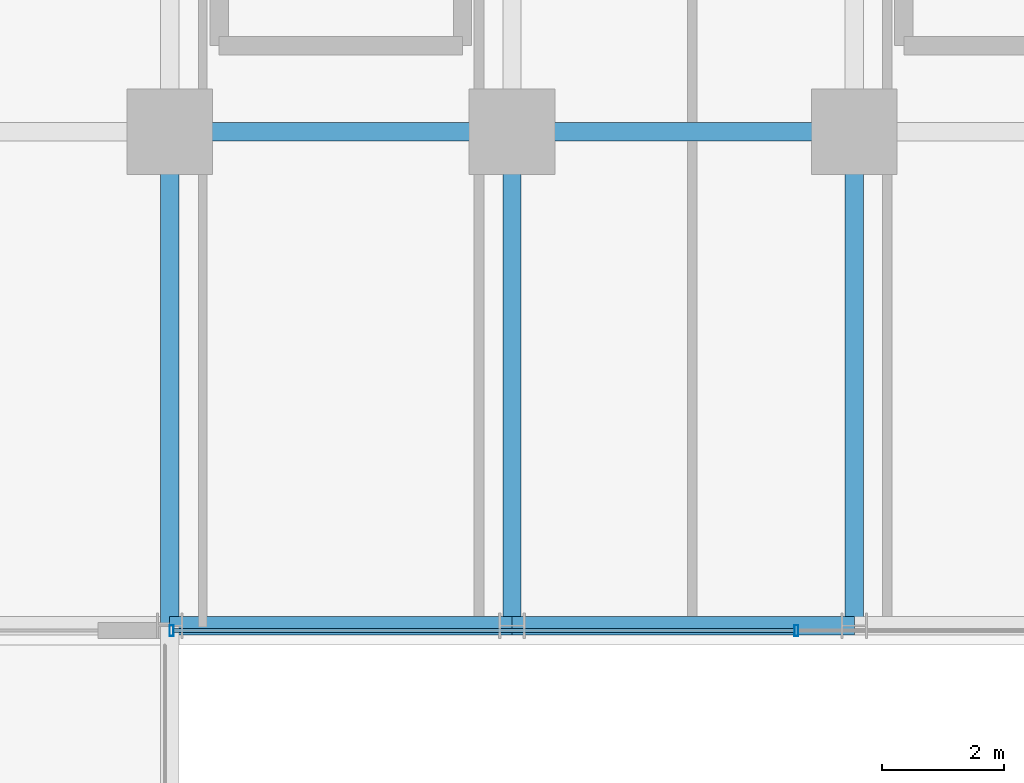
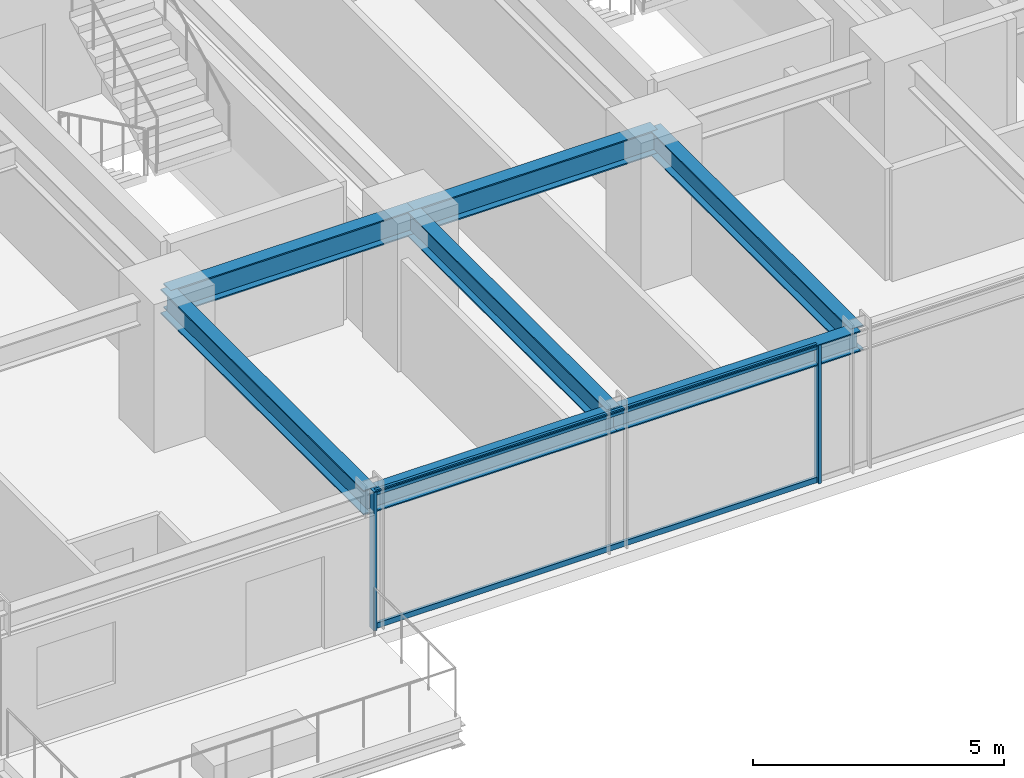
# One storey, part 7 of 37: 7 beams, 4 members, 1 element without a shape of its own.
"""IFC4 building model written with IfcOpenShell, lengths in metres."""

from ifc_helpers import new_model, si_unit, direction, frame, origin, origin_2d, place, context, subcontext, project, spatial, hollow_rectangle, i_section, extrude, source, transform, mapped, material, material_profile, profile_set, type_object, element, aggregate, save


model = new_model("IFC4")

# Units and contexts
model_context = context("Model", 3, precision=1e-05, world=origin(), true_north=direction((0.0, 1.0)))
body_context = subcontext(model_context, "Body", "Model", "MODEL_VIEW")
ifc_project = project(units=[si_unit("LENGTHUNIT", "METRE"), si_unit("AREAUNIT", "SQUARE_METRE"), si_unit("VOLUMEUNIT", "CUBIC_METRE"), si_unit("PLANEANGLEUNIT", "RADIAN"), si_unit("MASSUNIT", "GRAM", prefix="KILO")], contexts=[model_context])

# Site, building, storey
site_placement = place(None, origin())
site = spatial("IfcSite", under=ifc_project, at=site_placement, CompositionType="ELEMENT")
building_placement = place(site_placement, origin())
building = spatial("IfcBuilding", under=site, at=building_placement, Name="Nahalor Promenade Grand Hotel", CompositionType="ELEMENT")
storey_placement = place(building_placement, frame((0.0, 0.0, 36.050048828125)))
storey = spatial("IfcBuildingStorey", under=building, at=storey_placement, Name="L07", CompositionType="ELEMENT", Elevation=36.050048828125)

# Beams
ifc_material_1 = material(Name="Steel S355JR", Category="steel")
ifc_material_profile_1 = material_profile(ifc_material_1, i_section(OverallWidth=0.3, OverallDepth=0.6, WebThickness=0.0155, FlangeThickness=0.03, at=origin_2d()), Name="HEB 600")
ifc_profile_set_1 = profile_set([ifc_material_profile_1], Name="Steel S355JR")
beam_type_1 = type_object("IfcBeamType", Name="Beam-Girder-HEB600", PredefinedType="BEAM", material=ifc_profile_set_1)
shared_shape_1 = source(origin(), body_context, "Body", "SweptSolid", [
    extrude(i_section(OverallWidth=0.3, OverallDepth=0.6, WebThickness=0.0155, FlangeThickness=0.03, at=origin_2d()), origin(), (0.0, 0.0, 1.0), 5.599853515625),
])
beam_1_placement = place(storey_placement, frame((-8.39990234375, -17.0, 3.070068359375), z_axis=(1.0, 0.0, 0.0), x_axis=(0.0, 1.0, 0.0)))
element("IfcBeam", 1, at=beam_1_placement, inside=storey, type_object=beam_type_1, Name="BM-L07-GX-0-2", PredefinedType="BEAM", context=body_context, shape_type="MappedRepresentation", body=[
    mapped(shared_shape_1, transform((0.0, 0.0, 0.0), scale=1.0)),
])
shared_shape_2 = source(origin(), body_context, "Body", "SweptSolid", [
    extrude(i_section(OverallWidth=0.3, OverallDepth=0.6, WebThickness=0.0155, FlangeThickness=0.03, at=origin_2d()), origin(), (0.0, 0.0, 1.0), 5.60009765625),
])
beam_2_placement = place(storey_placement, frame((-2.800048828125, -17.0, 3.070068359375), z_axis=(1.0, 0.0, 0.0), x_axis=(0.0, 1.0, 0.0)))
element("IfcBeam", 2, at=beam_2_placement, inside=storey, type_object=beam_type_1, Name="BM-L07-GX-0-3", PredefinedType="BEAM", context=body_context, shape_type="MappedRepresentation", body=[
    mapped(shared_shape_2, transform((0.0, 0.0, 0.0), scale=1.0)),
])
ifc_material_profile_2 = material_profile(ifc_material_1, i_section(OverallWidth=0.3, OverallDepth=0.5, WebThickness=0.0145, FlangeThickness=0.028, at=origin_2d()), Name="HEB 500")
ifc_profile_set_2 = profile_set([ifc_material_profile_2], Name="Steel S355JR")
beam_type_2 = type_object("IfcBeamType", Name="Beam-Spandrel-HEB500", PredefinedType="SPANDREL", material=ifc_profile_set_2)
shared_shape_3 = source(origin(), body_context, "Body", "SweptSolid", [
    extrude(i_section(OverallWidth=0.3, OverallDepth=0.5, WebThickness=0.0145, FlangeThickness=0.028, at=origin_2d()), origin(), (0.0, 0.0, 1.0), 5.599853515625),
])
beam_3_placement = place(storey_placement, frame((-8.39990234375, -25.080078125, 3.119873046875), z_axis=(1.0, 0.0, 0.0), x_axis=(0.0, 1.0, 0.0)))
element("IfcBeam", 3, at=beam_3_placement, inside=storey, type_object=beam_type_2, Name="BM-L07-SP-S-1", PredefinedType="SPANDREL", context=body_context, shape_type="MappedRepresentation", body=[
    mapped(shared_shape_3, transform((0.0, 0.0, 0.0), scale=1.0)),
])
shared_shape_4 = source(origin(), body_context, "Body", "SweptSolid", [
    extrude(i_section(OverallWidth=0.3, OverallDepth=0.5, WebThickness=0.0145, FlangeThickness=0.028, at=origin_2d()), origin(), (0.0, 0.0, 1.0), 5.60009765625),
])
beam_4_placement = place(storey_placement, frame((-2.800048828125, -25.080078125, 3.119873046875), z_axis=(1.0, 0.0, 0.0), x_axis=(0.0, 1.0, 0.0)))
element("IfcBeam", 4, at=beam_4_placement, inside=storey, type_object=beam_type_2, Name="BM-L07-SP-S-2", PredefinedType="SPANDREL", context=body_context, shape_type="MappedRepresentation", body=[
    mapped(shared_shape_4, transform((0.0, 0.0, 0.0), scale=1.0)),
])
shared_shape_5 = source(origin(), body_context, "Body", "SweptSolid", [
    extrude(i_section(OverallWidth=0.3, OverallDepth=0.6, WebThickness=0.0155, FlangeThickness=0.03, at=origin_2d()), origin(), (0.0, 0.0, 1.0), 8.080078125),
])
for number, where, z_axis, x_axis, name in (
    (5, (-8.39990234375, -25.080078125, 3.070068359375), (0.0, 1.0, 0.0), (-1.0, 0.0, 0.0), "BM-L07-GY-1-0"),
    (6, (-2.800048828125, -25.080078125, 3.070068359375), (0.0, 1.0, 0.0), (-1.0, 0.0, 0.0), "BM-L07-GY-2-0"),
    (7, (2.800048828125, -25.080078125, 3.070068359375), (0.0, 1.0, 0.0), (-1.0, 0.0, 0.0), "BM-L07-GY-3-0"),
):
    element("IfcBeam", number, at=place(storey_placement, frame(where, z_axis=z_axis, x_axis=x_axis)), inside=storey, type_object=beam_type_1, Name=name, PredefinedType="BEAM", context=body_context, shape_type="MappedRepresentation", body=[
        mapped(shared_shape_5, transform((0.0, 0.0, 0.0), scale=1.0)),
    ])

# Curtain wall, members
ifc_material_2 = material(Name="Anodised Bronze Aluminium EN AW-6063 T6", Category="aluminium")
curtain_wall_type = type_object("IfcCurtainWallType", Name="CW2 Typical Hotel Flush Bronze Unitised Curtain Wall", PredefinedType="USERDEFINED", material=ifc_material_2)
curtain_wall_placement = place(storey_placement, origin())
curtain_wall = element("IfcCurtainWall", 8, at=curtain_wall_placement, inside=storey, type_object=curtain_wall_type, Name="L07 Curtain Wall CW-L07-S-3", ObjectType="UNITISED_CURTAIN_WALL", PredefinedType="USERDEFINED")
ifc_material_profile_3 = material_profile(ifc_material_2, hollow_rectangle(XDim=0.065, YDim=0.13, WallThickness=0.004, at=origin_2d()), Name="CWT 65x130x4")
ifc_profile_set_3 = profile_set([ifc_material_profile_3], Name="Anodised Bronze Aluminium EN AW-6063 T6")
member_type_1 = type_object("IfcMemberType", Name="CWT2 Typical Bronze Transom 65x130", PredefinedType="USERDEFINED", material=ifc_profile_set_3)
shared_shape_6 = source(origin(), body_context, "Body", "SweptSolid", [
    extrude(hollow_rectangle(XDim=0.065, YDim=0.13, WallThickness=0.004, at=origin_2d()), origin(), (0.0, 0.0, 1.0), 10.15576171875),
])
member_1_placement = place(storey_placement, frame((-8.3349609375, -25.159912109375, 0.06494140625), z_axis=(1.0, 0.0, 0.0), x_axis=(0.0, 1.0, 0.0)))
member_1 = element("IfcMember", 9, at=member_1_placement, type_object=member_type_1, Name="CW-L07-S-3 Transom 0-0", ObjectType="TRANSOM", PredefinedType="USERDEFINED", context=body_context, shape_type="MappedRepresentation", body=[
    mapped(shared_shape_6, transform((0.0, 0.0, 0.0), scale=1.0)),
])
member_2_placement = place(storey_placement, frame((-8.3349609375, -25.159912109375, 3.304931640625), z_axis=(1.0, 0.0, 0.0), x_axis=(0.0, 1.0, 0.0)))
member_2 = element("IfcMember", 10, at=member_2_placement, type_object=member_type_1, Name="CW-L07-S-3 Transom 0-1", ObjectType="TRANSOM", PredefinedType="USERDEFINED", context=body_context, shape_type="MappedRepresentation", body=[
    mapped(shared_shape_6, transform((0.0, 0.0, 0.0), scale=1.0)),
])
ifc_material_profile_4 = material_profile(ifc_material_2, hollow_rectangle(XDim=0.065, YDim=0.18, WallThickness=0.004, at=origin_2d()), Name="CWM 65x180x4")
ifc_profile_set_4 = profile_set([ifc_material_profile_4], Name="Anodised Bronze Aluminium EN AW-6063 T6")
member_type_2 = type_object("IfcMemberType", Name="CWM2 Typical Bronze Mullion 65x180", PredefinedType="MULLION", material=ifc_profile_set_4)
shared_shape_7 = source(origin(), body_context, "Body", "SweptSolid", [
    extrude(hollow_rectangle(XDim=0.065, YDim=0.18, WallThickness=0.004, at=origin_2d()), origin(), (0.0, 0.0, 1.0), 3.369873046875),
])
member_3_placement = place(storey_placement, frame((-8.367431640625, -25.159912109375, 0.0), z_axis=(0.0, 0.0, 1.0), x_axis=(1.0, 0.0, 0.0)))
member_3 = element("IfcMember", 11, at=member_3_placement, type_object=member_type_2, Name="CW-L07-S-3 Mullion 0", PredefinedType="MULLION", context=body_context, shape_type="MappedRepresentation", body=[
    mapped(shared_shape_7, transform((0.0, 0.0, 0.0), scale=1.0)),
])
member_4_placement = place(storey_placement, frame((1.853271484375, -25.159912109375, 0.0), z_axis=(0.0, 0.0, 1.0), x_axis=(1.0, 0.0, 0.0)))
member_4 = element("IfcMember", 12, at=member_4_placement, type_object=member_type_2, Name="CW-L07-S-3 Mullion 1", PredefinedType="MULLION", context=body_context, shape_type="MappedRepresentation", body=[
    mapped(shared_shape_7, transform((0.0, 0.0, 0.0), scale=1.0)),
])
aggregate(curtain_wall, [member_3, member_4, member_1, member_2])

save(model, "model.ifc")
